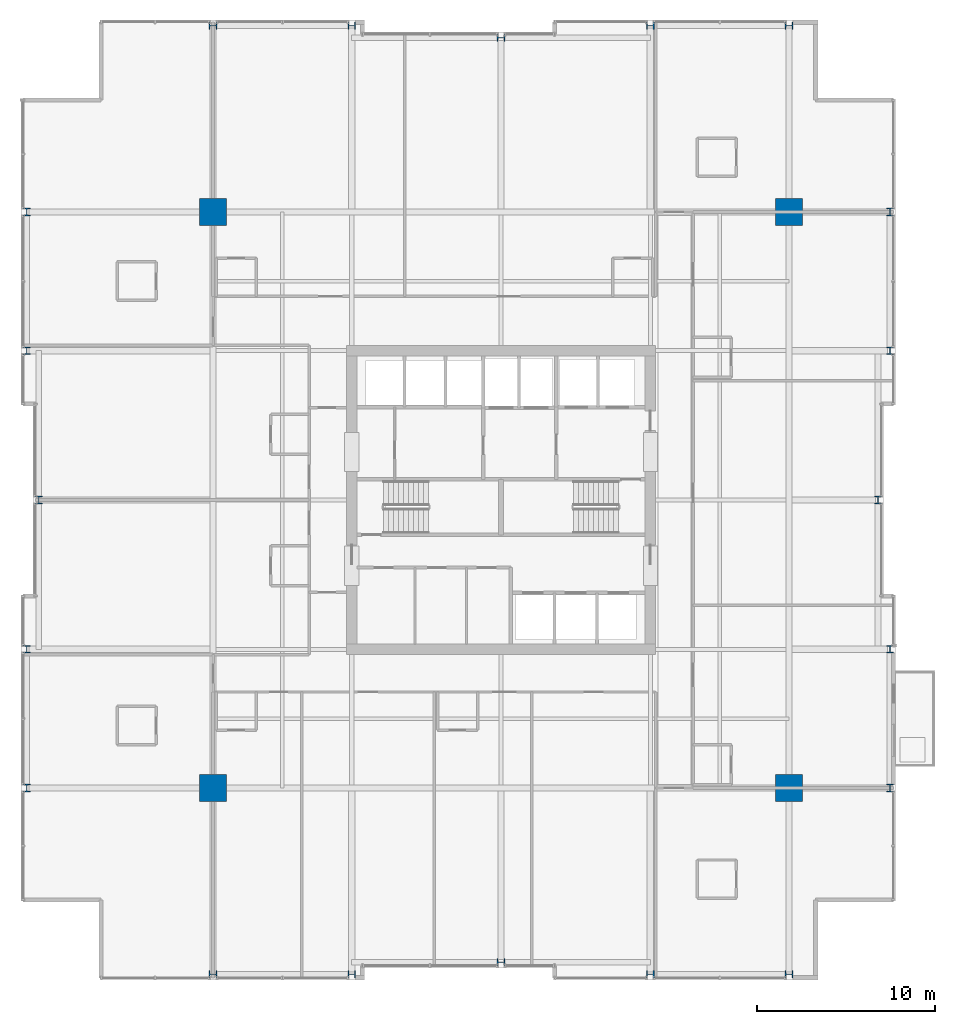
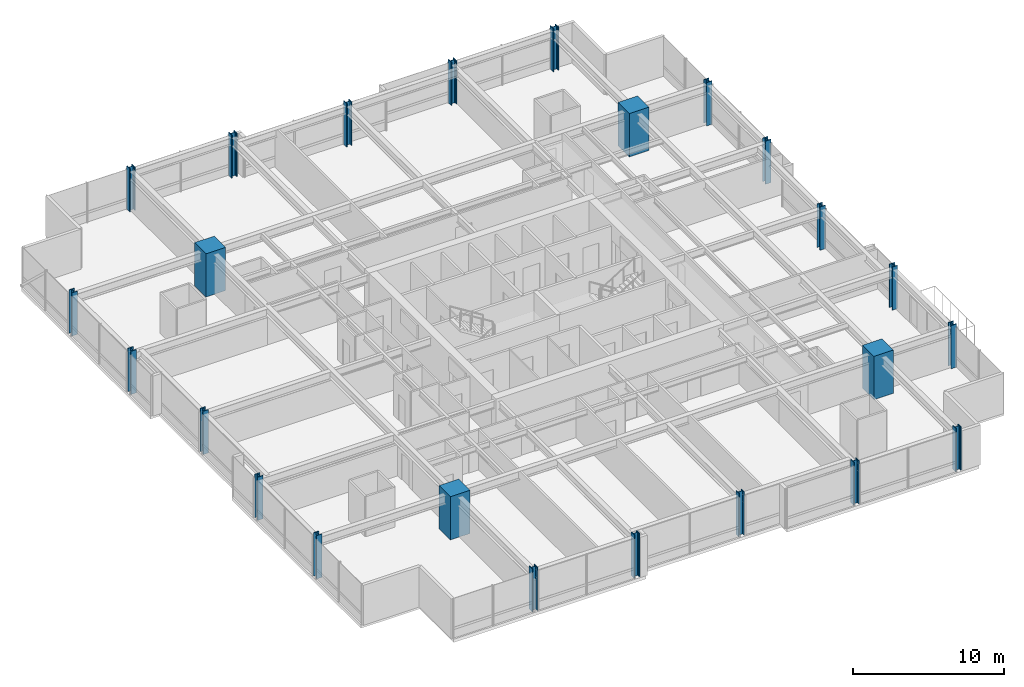
# One storey, part 1 of 33: 24 columns.
"""IFC4 building model written with IfcOpenShell, lengths in metres."""

from ifc_helpers import new_model, si_unit, direction, frame, origin, origin_2d, place, context, subcontext, project, spatial, rectangle, i_section, extrude, material, material_profile, profile_set, type_object, element, save


model = new_model("IFC4")

# Units and contexts
model_context = context("Model", 3, precision=1e-05, world=origin(), true_north=direction((0.0, 1.0)))
body_context = subcontext(model_context, "Body", "Model", "MODEL_VIEW")
ifc_project = project(units=[si_unit("LENGTHUNIT", "METRE"), si_unit("AREAUNIT", "SQUARE_METRE"), si_unit("VOLUMEUNIT", "CUBIC_METRE"), si_unit("PLANEANGLEUNIT", "RADIAN"), si_unit("MASSUNIT", "GRAM", prefix="KILO")], contexts=[model_context])

# Site, building, storey
site_placement = place(None, origin())
site = spatial("IfcSite", under=ifc_project, at=site_placement, CompositionType="ELEMENT")
building_placement = place(site_placement, origin())
building = spatial("IfcBuilding", under=site, at=building_placement, Name="Drelvath Grand Hotel", CompositionType="ELEMENT")
storey_placement = place(building_placement, frame((0.0, 0.0, 119.800048828125)))
storey = spatial("IfcBuildingStorey", under=building, at=storey_placement, Name="L30", CompositionType="ELEMENT", Elevation=119.800048828125)

# Columns
ifc_material_1 = material(Name="Concrete f'c 70 MPa", Category="concrete")
ifc_material_profile_1 = material_profile(ifc_material_1, rectangle(XDim=1.5, YDim=1.5, at=origin_2d()), Name="MC1500X1500")
ifc_profile_set_1 = profile_set([ifc_material_profile_1], Name="Concrete f'c 70 MPa")
column_type_1 = type_object("IfcColumnType", Name="Composite Mega Column MC1500X1500", PredefinedType="COLUMN", material=ifc_profile_set_1)
for number, where, z_axis, x_axis, name in (
    (1, (-16.199951171875, 10.800048828125, 0.0), (0.0, 0.0, 1.0), (1.0, 0.0, 0.0), "L30 Composite Mega Column MC-SW"),
    (2, (16.199951171875, 10.800048828125, 0.0), (0.0, 0.0, 1.0), (1.0, 0.0, 0.0), "L30 Composite Mega Column MC-SE"),
    (3, (-16.199951171875, 43.199951171875, 0.0), (0.0, 0.0, 1.0), (1.0, 0.0, 0.0), "L30 Composite Mega Column MC-NW"),
    (4, (16.199951171875, 43.199951171875, 0.0), (0.0, 0.0, 1.0), (1.0, 0.0, 0.0), "L30 Composite Mega Column MC-NE"),
):
    element("IfcColumn", number, at=place(storey_placement, frame(where, z_axis=z_axis, x_axis=x_axis)), inside=storey, type_object=column_type_1, Name=name, PredefinedType="COLUMN", context=body_context, shape_type="SweptSolid", body=[
        extrude(rectangle(XDim=1.5, YDim=1.5, at=origin_2d()), origin(), (0.0, 0.0, 1.0), 3.5),
    ])
ifc_material_2 = material(Name="Steel ASTM A913 Gr 65", Category="steel")
ifc_material_profile_2 = material_profile(ifc_material_2, i_section(OverallWidth=0.412109375, OverallDepth=0.434814453125, WebThickness=0.035888671875, FlangeThickness=0.057373046875, FilletRadius=0.028076171875, at=origin_2d()), Name="W14X311")
ifc_profile_set_2 = profile_set([ifc_material_profile_2], Name="Steel ASTM A913 Gr 65")
column_type_2 = type_object("IfcColumnType", Name="Perimeter Steel Column W14X311", PredefinedType="COLUMN", material=ifc_profile_set_2)
for number, where, z_axis, x_axis, name in (
    (5, (-26.679931640625, 10.800048828125, 0.0), (0.0, 0.0, 1.0), (1.0, 0.0, 0.0), "L30 Structural Column TCW-C"),
    (6, (21.8798828125, 10.800048828125, 0.0), (0.0, 0.0, 1.0), (1.0, 0.0, 0.0), "L30 Structural Column TCE-C"),
    (7, (-26.679931640625, 18.60009765625, 0.0), (0.0, 0.0, 1.0), (1.0, 0.0, 0.0), "L30 Structural Column TCW-D"),
    (8, (21.8798828125, 18.60009765625, 0.0), (0.0, 0.0, 1.0), (1.0, 0.0, 0.0), "L30 Structural Column TCE-D"),
    (9, (-26.0, 27.0, 0.0), (0.0, 0.0, 1.0), (1.0, 0.0, 0.0), "L30 Structural Column TCW-E"),
    (10, (21.199951171875, 27.0, 0.0), (0.0, 0.0, 1.0), (1.0, 0.0, 0.0), "L30 Structural Column TCE-E"),
    (11, (-26.679931640625, 35.39990234375, 0.0), (0.0, 0.0, 1.0), (1.0, 0.0, 0.0), "L30 Structural Column TCW-F"),
    (12, (21.8798828125, 35.39990234375, 0.0), (0.0, 0.0, 1.0), (1.0, 0.0, 0.0), "L30 Structural Column TCE-F"),
    (13, (-26.679931640625, 43.199951171875, 0.0), (0.0, 0.0, 1.0), (1.0, 0.0, 0.0), "L30 Structural Column TCW-G"),
    (14, (21.8798828125, 43.199951171875, 0.0), (0.0, 0.0, 1.0), (1.0, 0.0, 0.0), "L30 Structural Column TCE-G"),
    (15, (-16.199951171875, 0.320068359375, 0.0), (0.0, 0.0, 1.0), (0.0, 1.0, 0.0), "L30 Structural Column TCS-3"),
    (16, (-16.199951171875, 53.679931640625, 0.0), (0.0, 0.0, 1.0), (0.0, 1.0, 0.0), "L30 Structural Column TCN-3"),
    (17, (-8.39990234375, 0.320068359375, 0.0), (0.0, 0.0, 1.0), (0.0, 1.0, 0.0), "L30 Structural Column TCS-4"),
    (18, (-8.39990234375, 53.679931640625, 0.0), (0.0, 0.0, 1.0), (0.0, 1.0, 0.0), "L30 Structural Column TCN-4"),
    (19, (0.0, 1.0, 0.0), (0.0, 0.0, 1.0), (0.0, 1.0, 0.0), "L30 Structural Column TCS-5"),
    (20, (0.0, 53.0, 0.0), (0.0, 0.0, 1.0), (0.0, 1.0, 0.0), "L30 Structural Column TCN-5"),
    (21, (8.39990234375, 0.320068359375, 0.0), (0.0, 0.0, 1.0), (0.0, 1.0, 0.0), "L30 Structural Column TCS-6"),
    (22, (8.39990234375, 53.679931640625, 0.0), (0.0, 0.0, 1.0), (0.0, 1.0, 0.0), "L30 Structural Column TCN-6"),
    (23, (16.199951171875, 0.320068359375, 0.0), (0.0, 0.0, 1.0), (0.0, 1.0, 0.0), "L30 Structural Column TCS-7"),
    (24, (16.199951171875, 53.679931640625, 0.0), (0.0, 0.0, 1.0), (0.0, 1.0, 0.0), "L30 Structural Column TCN-7"),
):
    element("IfcColumn", number, at=place(storey_placement, frame(where, z_axis=z_axis, x_axis=x_axis)), inside=storey, type_object=column_type_2, Name=name, PredefinedType="COLUMN", context=body_context, shape_type="SweptSolid", body=[
        extrude(i_section(OverallWidth=0.412109375, OverallDepth=0.434814453125, WebThickness=0.035888671875, FlangeThickness=0.057373046875, FilletRadius=0.028076171875, at=origin_2d()), origin(), (0.0, 0.0, 1.0), 3.4970703125),
    ])

save(model, "model.ifc")
